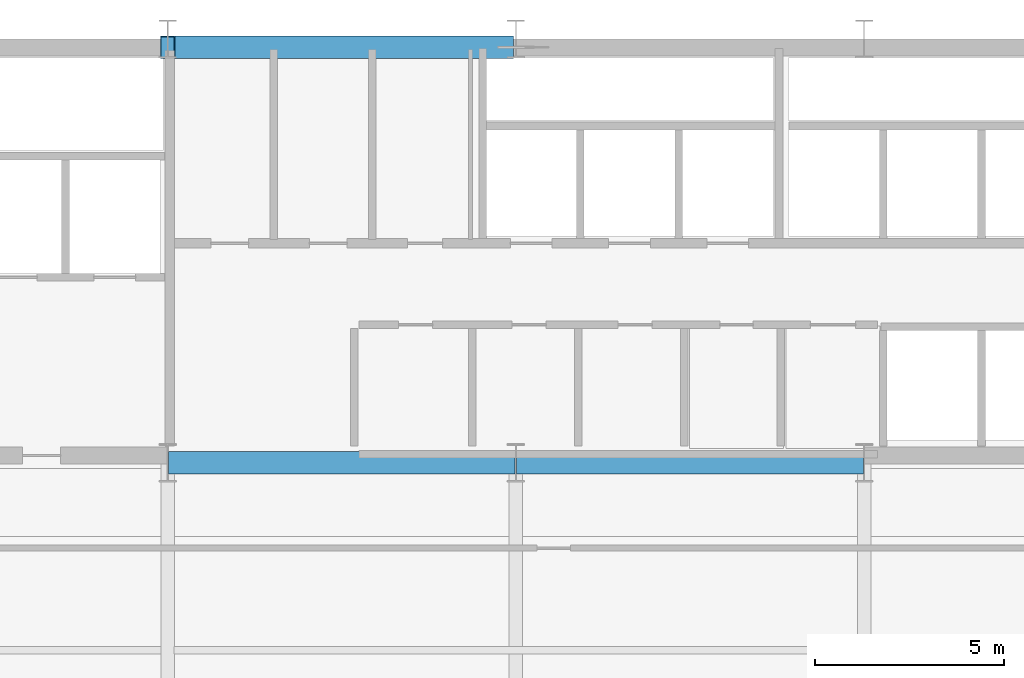
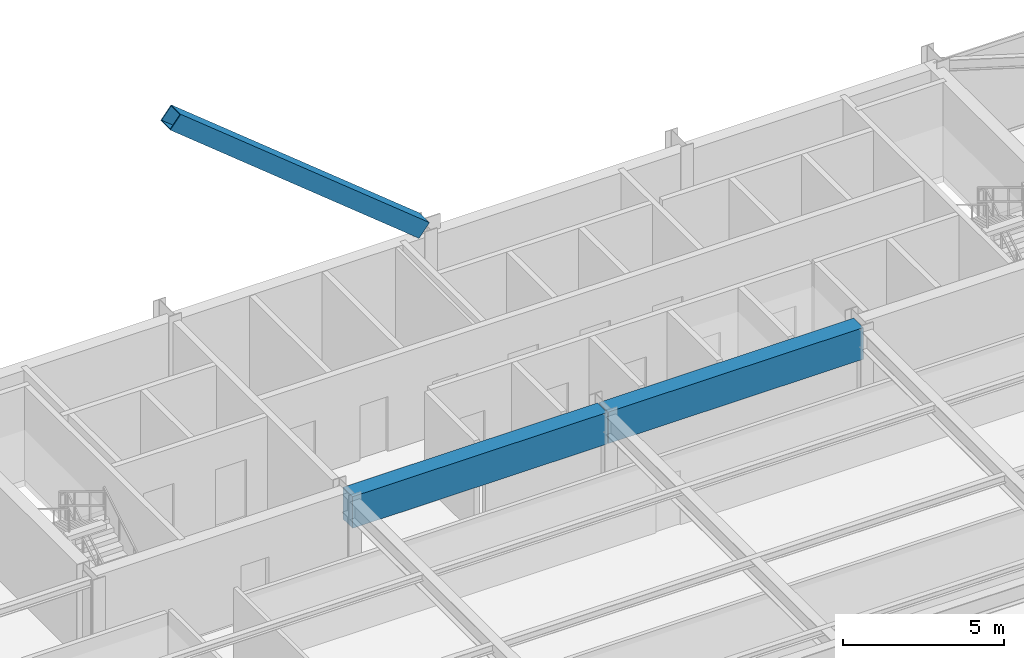
# One storey, part 23 of 37: 2 beams, 1 member.
"""IFC4 building model written with IfcOpenShell, lengths in metres."""

from ifc_helpers import new_model, si_unit, direction, frame, origin, origin_2d, place, context, subcontext, project, spatial, rectangle, hollow_rectangle, extrude, source, transform, mapped, material, material_profile, profile_set, type_object, type_shapes, element, save


model = new_model("IFC4")

# Units and contexts
model_context = context("Model", 3, precision=1e-05, world=origin(), true_north=direction((0.0, 1.0)))
body_context = subcontext(model_context, "Body", "Model", "MODEL_VIEW")
ifc_project = project(units=[si_unit("LENGTHUNIT", "METRE"), si_unit("AREAUNIT", "SQUARE_METRE"), si_unit("VOLUMEUNIT", "CUBIC_METRE"), si_unit("PLANEANGLEUNIT", "RADIAN"), si_unit("MASSUNIT", "GRAM", prefix="KILO")], contexts=[model_context])

# Site, building, storey
site_placement = place(None, origin())
site = spatial("IfcSite", under=ifc_project, at=site_placement, CompositionType="ELEMENT")
building_placement = place(site_placement, origin())
building = spatial("IfcBuilding", under=site, at=building_placement, Name="Varnel Quay Broadcast Tower", CompositionType="ELEMENT")
storey_placement = place(building_placement, frame((0.0, 0.0, 106.800048828125)))
storey = spatial("IfcBuildingStorey", under=building, at=storey_placement, Name="L25", CompositionType="ELEMENT", Elevation=106.800048828125)

# Beams
ifc_material_1 = material(Name="Concrete CSA A23.3 C60/75", Category="concrete")
ifc_material_profile_1 = material_profile(ifc_material_1, rectangle(XDim=0.60009765625, YDim=1.199951171875, at=origin_2d()), Name="RC600X1200")
ifc_profile_set_1 = profile_set([ifc_material_profile_1], Name="Concrete CSA A23.3 C60/75")
beam_type = type_object("IfcBeamType", Name="Beam_RC600X1200", PredefinedType="BEAM", material=ifc_profile_set_1)
shared_shape_1 = source(origin(), body_context, "Body", "SweptSolid", [
    extrude(rectangle(XDim=0.60009765625, YDim=1.199951171875, at=origin_2d()), origin(), (0.0, 0.0, 1.0), 9.159912109375),
])
type_shapes(beam_type, [shared_shape_1])
for number, where, z_axis, x_axis, name in (
    (1, (24.820068359375, 35.60009765625, 2.949951171875), (1.0, 0.0, 0.0), (0.0, 1.0, 0.0), "L25 Core Coupling Beam W"),
    (2, (34.02001953125, 35.60009765625, 2.949951171875), (1.0, 0.0, 0.0), (0.0, 1.0, 0.0), "L25 Core Coupling Beam E"),
):
    element("IfcBeam", number, at=place(storey_placement, frame(where, z_axis=z_axis, x_axis=x_axis)), inside=storey, type_object=beam_type, Name=name, PredefinedType="BEAM", context=body_context, shape_type="MappedRepresentation", body=[
        mapped(shared_shape_1, transform((0.0, 0.0, 0.0), x_axis=(1.0, 0.0, 0.0), y_axis=(0.0, 1.0, 0.0), z_axis=(0.0, 0.0, 1.0), scale=1.0)),
    ])

# Member
ifc_material_2 = material(Name="Structural Steel CSA G40.21 350WT", Category="steel")
ifc_material_profile_2 = material_profile(ifc_material_2, hollow_rectangle(XDim=0.60009765625, YDim=0.60009765625, WallThickness=0.028076171875, at=origin_2d()), Name="BOX600X600X28")
ifc_profile_set_2 = profile_set([ifc_material_profile_2], Name="Structural Steel CSA G40.21 350WT")
member_type = type_object("IfcMemberType", Name="Brace_BOX600X600X28", PredefinedType="BRACE", material=ifc_profile_set_2)
shared_shape_2 = source(origin(), body_context, "Body", "SweptSolid", [
    extrude(hollow_rectangle(XDim=0.60009765625, YDim=0.60009765625, WallThickness=0.028076171875, at=origin_2d()), origin(), (0.0, 0.0, 1.0), 11.509521484375),
])
type_shapes(member_type, [shared_shape_2])
member_placement = place(storey_placement, frame((33.7421875, 46.580078125, 3.8837890625), z_axis=(-0.776938015537, 0.0, 0.629577096163), x_axis=(0.0, -1.0, 0.0)))
element("IfcMember", 3, at=member_placement, inside=storey, type_object=member_type, Name="Zone 2 Mega-Brace N-CT2 Split Diag B2", PredefinedType="BRACE", context=body_context, shape_type="MappedRepresentation", body=[
    mapped(shared_shape_2, transform((0.0, 0.0, 0.0), x_axis=(1.0, 0.0, 0.0), y_axis=(0.0, 1.0, 0.0), z_axis=(0.0, 0.0, 1.0), scale=1.0)),
])

save(model, "model.ifc")
